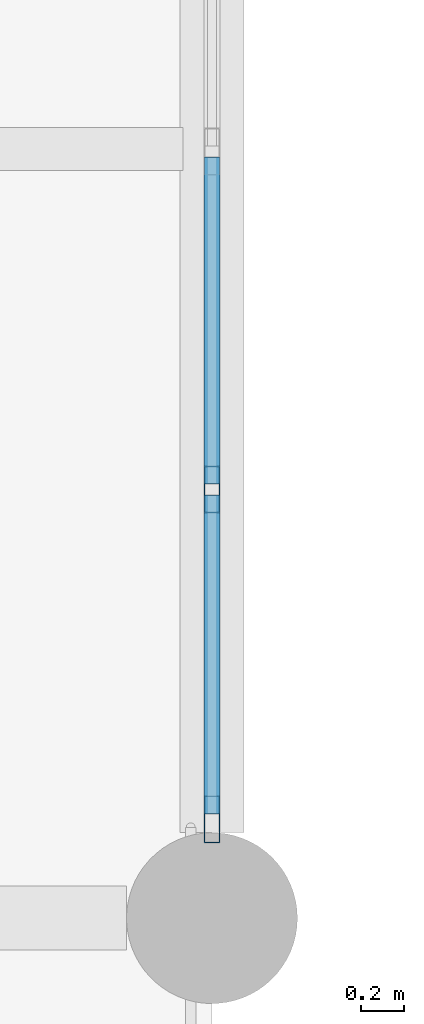
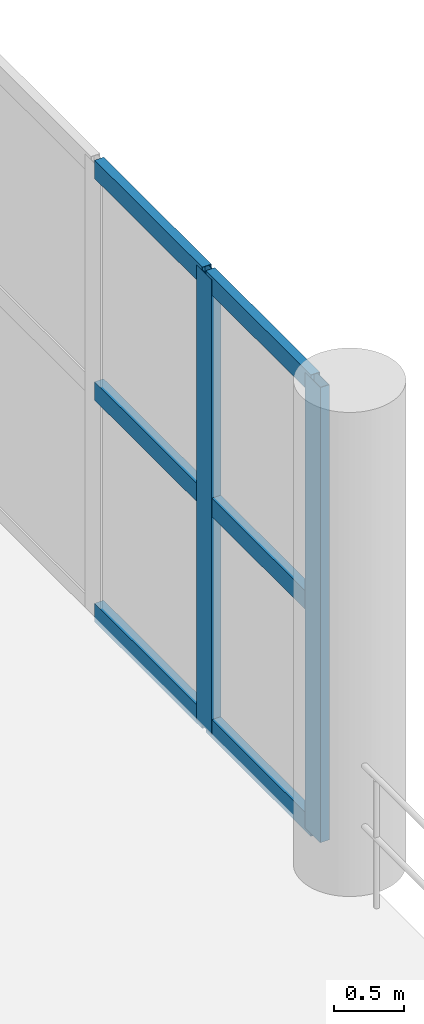
# One storey, part 35 of 153: 8 members, 1 element without a shape of its own.
"""IFC4 building model written with IfcOpenShell, lengths in metres."""

from ifc_helpers import new_model, si_unit, direction, frame, origin, origin_2d, place, context, subcontext, project, spatial, hollow_rectangle, extrude, material, material_profile, profile_set, type_object, element, aggregate, save


model = new_model("IFC4")

# Units and contexts
model_context = context("Model", 3, precision=1e-05, world=origin(), true_north=direction((0.0, 1.0)))
body_context = subcontext(model_context, "Body", "Model", "MODEL_VIEW")
ifc_project = project(units=[si_unit("LENGTHUNIT", "METRE"), si_unit("AREAUNIT", "SQUARE_METRE"), si_unit("VOLUMEUNIT", "CUBIC_METRE"), si_unit("PLANEANGLEUNIT", "RADIAN"), si_unit("MASSUNIT", "GRAM", prefix="KILO")], contexts=[model_context])

# Site, building, storey
site_placement = place(None, origin())
site = spatial("IfcSite", under=ifc_project, at=site_placement, CompositionType="ELEMENT")
building_placement = place(site_placement, origin())
building = spatial("IfcBuilding", under=site, at=building_placement, Name="Qandorah Velis Arena", CompositionType="ELEMENT")
storey_placement = place(building_placement, frame((0.0, 0.0, 5.39990234375)))
storey = spatial("IfcBuildingStorey", under=building, at=storey_placement, Name="L01", CompositionType="ELEMENT", Elevation=5.39990234375)

# Curtain wall, members
ifc_material_1 = material(Name="Solar-control low-E double glazing", Category="glass")
curtain_wall_type = type_object("IfcCurtainWallType", Name="ARC-CW-SYS21", PredefinedType="USERDEFINED", material=ifc_material_1)
curtain_wall_placement = place(storey_placement, origin())
curtain_wall = element("IfcCurtainWall", 1, at=curtain_wall_placement, inside=storey, type_object=curtain_wall_type, Name="Unitised curtain wall L01-165", ObjectType="UNITISED CURTAIN WALL", PredefinedType="USERDEFINED")
ifc_material_2 = material(Name="Champagne-bronze anodized aluminium 6063-T6", Category="aluminium")
ifc_material_profile_1 = material_profile(ifc_material_2, hollow_rectangle(XDim=0.074951171875, YDim=0.219970703125, WallThickness=0.00390625, at=origin_2d()), Name="ALU MULLION 75x220")
ifc_profile_set_1 = profile_set([ifc_material_profile_1], Name="Champagne-bronze anodized aluminium 6063-T6")
member_type_1 = type_object("IfcMemberType", Name="ARC-CWM-220", PredefinedType="MULLION", material=ifc_profile_set_1)
member_1_placement = place(storey_placement, frame((122.39990234375, 29.262451171875, -0.014892578125), z_axis=(0.0, 0.0, 1.0), x_axis=(-1.0, 0.0, 0.0)))
member_1 = element("IfcMember", 2, at=member_1_placement, type_object=member_type_1, Name="CW21 mullion 1", PredefinedType="MULLION", context=body_context, shape_type="SweptSolid", body=[
    extrude(hollow_rectangle(XDim=0.074951171875, YDim=0.219970703125, WallThickness=0.00390625, at=origin_2d()), origin(), (0.0, 0.0, 1.0), 3.949951171875),
])
member_2_placement = place(storey_placement, frame((122.39990234375, 30.80615234375, -0.014892578125), z_axis=(0.0, 0.0, 1.0), x_axis=(-1.0, 0.0, 0.0)))
member_2 = element("IfcMember", 3, at=member_2_placement, type_object=member_type_1, Name="CW21 mullion 2", PredefinedType="MULLION", context=body_context, shape_type="SweptSolid", body=[
    extrude(hollow_rectangle(XDim=0.074951171875, YDim=0.219970703125, WallThickness=0.00390625, at=origin_2d()), origin(), (0.0, 0.0, 1.0), 3.949951171875),
])
ifc_material_profile_2 = material_profile(ifc_material_2, hollow_rectangle(XDim=0.074951171875, YDim=0.159912109375, WallThickness=0.00341796875, at=origin_2d()), Name="ALU TRANSOM 75x160")
ifc_profile_set_2 = profile_set([ifc_material_profile_2], Name="Champagne-bronze anodized aluminium 6063-T6")
member_type_2 = type_object("IfcMemberType", Name="ARC-CWT-160", PredefinedType="USERDEFINED", material=ifc_profile_set_2)
member_3_placement = place(storey_placement, frame((122.39990234375, 29.2880859375, 0.03759765625), z_axis=(0.0, 1.0, 0.0), x_axis=(-1.0, 0.0, 0.0)))
member_3 = element("IfcMember", 4, at=member_3_placement, type_object=member_type_2, Name="CW21 transom 1.1", ObjectType="TRANSOM", PredefinedType="USERDEFINED", context=body_context, shape_type="SweptSolid", body=[
    extrude(hollow_rectangle(XDim=0.074951171875, YDim=0.159912109375, WallThickness=0.00341796875, at=origin_2d()), origin(), (0.0, 0.0, 1.0), 1.49267578125),
])
member_4_placement = place(storey_placement, frame((122.39990234375, 29.2880859375, 1.960205078125), z_axis=(0.0, 1.0, 0.0), x_axis=(-1.0, 0.0, 0.0)))
member_4 = element("IfcMember", 5, at=member_4_placement, type_object=member_type_2, Name="CW21 transom 1.2", ObjectType="TRANSOM", PredefinedType="USERDEFINED", context=body_context, shape_type="SweptSolid", body=[
    extrude(hollow_rectangle(XDim=0.074951171875, YDim=0.159912109375, WallThickness=0.00341796875, at=origin_2d()), origin(), (0.0, 0.0, 1.0), 1.49267578125),
])
member_5_placement = place(storey_placement, frame((122.39990234375, 29.2880859375, 3.882568359375), z_axis=(0.0, 1.0, 0.0), x_axis=(-1.0, 0.0, 0.0)))
member_5 = element("IfcMember", 6, at=member_5_placement, type_object=member_type_2, Name="CW21 transom 1.3", ObjectType="TRANSOM", PredefinedType="USERDEFINED", context=body_context, shape_type="SweptSolid", body=[
    extrude(hollow_rectangle(XDim=0.074951171875, YDim=0.159912109375, WallThickness=0.00341796875, at=origin_2d()), origin(), (0.0, 0.0, 1.0), 1.49267578125),
])
member_6_placement = place(storey_placement, frame((122.39990234375, 30.831787109375, 0.03759765625), z_axis=(0.0, 1.0, 0.0), x_axis=(-1.0, 0.0, 0.0)))
member_6 = element("IfcMember", 7, at=member_6_placement, type_object=member_type_2, Name="CW21 transom 2.1", ObjectType="TRANSOM", PredefinedType="USERDEFINED", context=body_context, shape_type="SweptSolid", body=[
    extrude(hollow_rectangle(XDim=0.074951171875, YDim=0.159912109375, WallThickness=0.00341796875, at=origin_2d()), origin(), (0.0, 0.0, 1.0), 1.5302734375),
])
member_7_placement = place(storey_placement, frame((122.39990234375, 30.831787109375, 1.960205078125), z_axis=(0.0, 1.0, 0.0), x_axis=(-1.0, 0.0, 0.0)))
member_7 = element("IfcMember", 8, at=member_7_placement, type_object=member_type_2, Name="CW21 transom 2.2", ObjectType="TRANSOM", PredefinedType="USERDEFINED", context=body_context, shape_type="SweptSolid", body=[
    extrude(hollow_rectangle(XDim=0.074951171875, YDim=0.159912109375, WallThickness=0.00341796875, at=origin_2d()), origin(), (0.0, 0.0, 1.0), 1.5302734375),
])
member_8_placement = place(storey_placement, frame((122.39990234375, 30.831787109375, 3.882568359375), z_axis=(0.0, 1.0, 0.0), x_axis=(-1.0, 0.0, 0.0)))
member_8 = element("IfcMember", 9, at=member_8_placement, type_object=member_type_2, Name="CW21 transom 2.3", ObjectType="TRANSOM", PredefinedType="USERDEFINED", context=body_context, shape_type="SweptSolid", body=[
    extrude(hollow_rectangle(XDim=0.074951171875, YDim=0.159912109375, WallThickness=0.00341796875, at=origin_2d()), origin(), (0.0, 0.0, 1.0), 1.5302734375),
])
aggregate(curtain_wall, [member_1, member_2, member_3, member_4, member_5, member_6, member_7, member_8])

save(model, "model.ifc")
